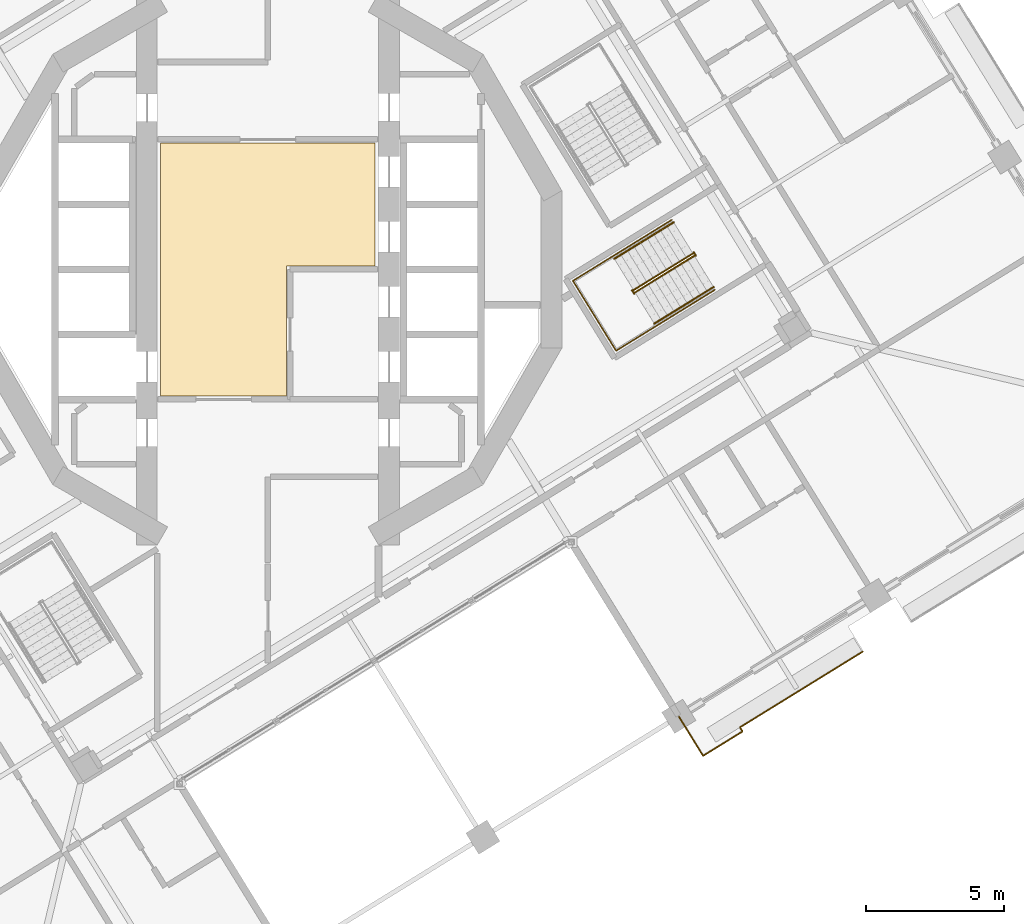
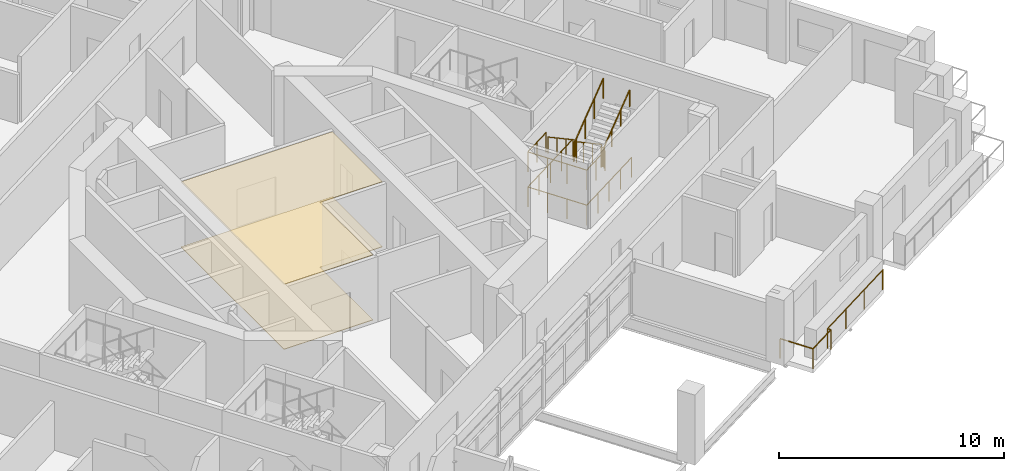
# One storey, part 18 of 22: 9 railings, 2 coverings.
"""IFC4 building model written with IfcOpenShell, lengths in metres."""

from ifc_helpers import new_model, si_unit, direction, frame, origin, origin_2d, place, context, subcontext, project, spatial, polyline, circle, outline, extrude, material, layer, layer_set, type_object, element, save


model = new_model("IFC4")

# Units and contexts
model_context = context("Model", 3, precision=1e-05, world=origin(), true_north=direction((0.0, 1.0)))
body_context = subcontext(model_context, "Body", "Model", "MODEL_VIEW")
ifc_project = project(units=[si_unit("LENGTHUNIT", "METRE"), si_unit("AREAUNIT", "SQUARE_METRE"), si_unit("VOLUMEUNIT", "CUBIC_METRE"), si_unit("PLANEANGLEUNIT", "RADIAN"), si_unit("MASSUNIT", "GRAM", prefix="KILO")], contexts=[model_context])

# Site, building, storey
site_placement = place(None, origin())
site = spatial("IfcSite", under=ifc_project, at=site_placement, CompositionType="ELEMENT")
building_placement = place(site_placement, origin())
building = spatial("IfcBuilding", under=site, at=building_placement, Name="Cantera Rosa Tower", CompositionType="ELEMENT")
storey_placement = place(building_placement, frame((0.0, 0.0, 178.0)))
storey = spatial("IfcBuildingStorey", under=building, at=storey_placement, Name="L39", CompositionType="ELEMENT", Elevation=178.0)

# Railings
ifc_material_1 = material(Name="Stainless steel and laminated glass", Category="steel")
railing_type_1 = type_object("IfcRailingType", Name="GUARD 1100", PredefinedType="BALUSTRADE", material=ifc_material_1)
railing_1_placement = place(storey_placement, frame((17.160400390625, -16.704345703125, 0.0)))
element("IfcRailing", 1, at=railing_1_placement, inside=storey, type_object=railing_type_1, Name="GUARD L39-8", PredefinedType="BALUSTRADE", context=body_context, shape_type="SweptSolid", body=[
    extrude(circle(Radius=0.030029296875, at=origin_2d()), frame((0.0, 0.0, 1.070068359375), z_axis=(-0.851117717896, -0.524974885384, 0.0), x_axis=(0.524974885384, -0.851117717896, 0.0)), (0.0, 0.0, 1.0), 1.676025390625),
    extrude(circle(Radius=0.030029296875, at=origin_2d()), frame((-1.426513671875, -0.8798828125, 1.070068359375), z_axis=(-0.524993729736, 0.85110609429, 0.0), x_axis=(-0.85110609429, -0.524993729736, 0.0)), (0.0, 0.0, 1.0), 1.656005859375),
    extrude(circle(Radius=0.02490234375, at=origin_2d()), origin(), (0.0, 0.0, 1.0), 1.0400390625),
    extrude(circle(Radius=0.02490234375, at=origin_2d()), frame((-1.426513671875, -0.8798828125, 0.0)), (0.0, 0.0, 1.0), 1.0400390625),
    extrude(circle(Radius=0.02490234375, at=origin_2d()), frame((-2.2958984375, 0.529541015625, 0.0)), (0.0, 0.0, 1.0), 1.0400390625),
])
railing_2_placement = place(storey_placement, frame((21.505615234375, -13.817138671875, 0.0)))
element("IfcRailing", 2, at=railing_2_placement, inside=storey, type_object=railing_type_1, Name="GUARD L39-9", PredefinedType="BALUSTRADE", context=body_context, shape_type="SweptSolid", body=[
    extrude(circle(Radius=0.030029296875, at=origin_2d()), frame((0.0, 0.0, 1.070068359375), z_axis=(-0.850339408664, -0.52623463405, 0.0), x_axis=(0.52623463405, -0.850339408664, 0.0)), (0.0, 0.0, 1.0), 0.070068359375),
    extrude(circle(Radius=0.030029296875, at=origin_2d()), frame((-0.0595703125, -0.036865234375, 1.070068359375), z_axis=(-0.85112174284, -0.52496835987, 0.0), x_axis=(0.52496835987, -0.85112174284, 0.0)), (0.0, 0.0, 1.0), 5.14404296875),
    extrude(circle(Radius=0.030029296875, at=origin_2d()), frame((-4.437744140625, -2.7373046875, 1.070068359375), z_axis=(0.525256814591, -0.850943757675, 0.0), x_axis=(0.850943757675, 0.525256814591, 0.0)), (0.0, 0.0, 1.0), 0.17626953125),
    extrude(circle(Radius=0.02490234375, at=origin_2d()), origin(), (0.0, 0.0, 1.0), 1.0400390625),
    extrude(circle(Radius=0.02490234375, at=origin_2d()), frame((-0.0595703125, -0.036865234375, 0.0)), (0.0, 0.0, 1.0), 1.0400390625),
    extrude(circle(Radius=0.02490234375, at=origin_2d()), frame((-1.51904296875, -0.93701171875, 0.0)), (0.0, 0.0, 1.0), 1.0400390625),
    extrude(circle(Radius=0.02490234375, at=origin_2d()), frame((-2.978271484375, -1.837158203125, 0.0)), (0.0, 0.0, 1.0), 1.0400390625),
    extrude(circle(Radius=0.02490234375, at=origin_2d()), frame((-4.437744140625, -2.7373046875, 0.0)), (0.0, 0.0, 1.0), 1.0400390625),
    extrude(circle(Radius=0.02490234375, at=origin_2d()), frame((-4.34521484375, -2.88720703125, 0.0)), (0.0, 0.0, 1.0), 1.0400390625),
])
ifc_material_2 = material(Name="Steel S355J2 (EN 10025-2)", Category="steel")
railing_type_2 = type_object("IfcRailingType", Name="STAIR GUARD 1100", PredefinedType="GUARDRAIL", material=ifc_material_2)
railing_3_placement = place(storey_placement, frame((15.36572265625, 0.57666015625, 0.18994140625)))
element("IfcRailing", 3, at=railing_3_placement, inside=storey, type_object=railing_type_2, Name="L39 ST-34 stair guard 1", PredefinedType="GUARDRAIL", context=body_context, shape_type="SweptSolid", body=[
    extrude(circle(Radius=0.02392578125, at=origin_2d()), frame((0.0, 0.0, 1.076171875), z_axis=(-0.704271375033, -0.434427613125, 0.561493080334), x_axis=(0.524999832248, -0.851102330005, 0.0)), (0.0, 0.0, 1.0), 3.04541015625),
    extrude(circle(Radius=0.02392578125, at=origin_2d()), frame((-2.144775390625, -1.322998046875, 2.7861328125), z_axis=(-0.997279572494, -0.073711968402, 0.0), x_axis=(0.073711968402, -0.997279572494, 0.0)), (0.0, 0.0, 1.0), 0.056396484375),
    extrude(circle(Radius=0.02392578125, at=origin_2d()), frame((-2.200927734375, -1.3271484375, 2.7861328125), z_axis=(0.525458245725, -0.850819388589, 0.0), x_axis=(0.850819388589, 0.525458245725, 0.0)), (0.0, 0.0, 1.0), 0.150146484375),
    extrude(circle(Radius=0.02099609375, at=origin_2d()), origin(), (0.0, 0.0, 1.0), 1.052001953125),
    extrude(circle(Radius=0.02099609375, at=origin_2d()), frame((-0.71484375, -0.44091796875, 0.570068359375)), (0.0, 0.0, 1.0), 1.052001953125),
    extrude(circle(Radius=0.02099609375, at=origin_2d()), frame((-1.429931640625, -0.882080078125, 1.139892578125)), (0.0, 0.0, 1.0), 1.052001953125),
    extrude(circle(Radius=0.02099609375, at=origin_2d()), frame((-2.144775390625, -1.322998046875, 1.7099609375)), (0.0, 0.0, 1.0), 1.052001953125),
    extrude(circle(Radius=0.02099609375, at=origin_2d()), frame((-2.200927734375, -1.3271484375, 1.7099609375)), (0.0, 0.0, 1.0), 1.052001953125),
    extrude(circle(Radius=0.02099609375, at=origin_2d()), frame((-2.1220703125, -1.454833984375, 1.7099609375)), (0.0, 0.0, 1.0), 1.052001953125),
])
railing_4_placement = place(storey_placement, frame((13.2724609375, -0.82958984375, 2.090087890625)))
element("IfcRailing", 4, at=railing_4_placement, inside=storey, type_object=railing_type_2, Name="L39 ST-34 stair guard 2", PredefinedType="GUARDRAIL", context=body_context, shape_type="SweptSolid", body=[
    extrude(circle(Radius=0.02392578125, at=origin_2d()), frame((0.0, 0.0, 1.076171875), z_axis=(0.70429590169, 0.434362572038, 0.561512634654), x_axis=(-0.524929648476, 0.851145618652, 0.0)), (0.0, 0.0, 1.0), 3.045166015625),
    extrude(circle(Radius=0.02099609375, at=origin_2d()), origin(), (0.0, 0.0, 1.0), 1.052001953125),
    extrude(circle(Radius=0.02099609375, at=origin_2d()), frame((0.71484375, 0.44091796875, 0.570068359375)), (0.0, 0.0, 1.0), 1.052001953125),
    extrude(circle(Radius=0.02099609375, at=origin_2d()), frame((1.429931640625, 0.8818359375, 1.139892578125)), (0.0, 0.0, 1.0), 1.052001953125),
    extrude(circle(Radius=0.02099609375, at=origin_2d()), frame((2.144775390625, 1.32275390625, 1.7099609375)), (0.0, 0.0, 1.0), 1.052001953125),
])
railing_5_placement = place(storey_placement, frame((15.394775390625, 0.625, 0.0)))
element("IfcRailing", 5, at=railing_5_placement, inside=storey, type_object=railing_type_2, Name="L39 ST-34 stair guard 3", PredefinedType="GUARDRAIL", context=body_context, shape_type="SweptSolid", body=[
    extrude(circle(Radius=0.02392578125, at=origin_2d()), frame((0.0, 0.0, 1.076171875), z_axis=(0.524279100842, -0.851546489876, 0.0), x_axis=(0.851546489876, 0.524279100842, 0.0)), (0.0, 0.0, 1.0), 0.14990234375),
    extrude(circle(Radius=0.02099609375, at=origin_2d()), origin(), (0.0, 0.0, 1.0), 1.052001953125),
    extrude(circle(Radius=0.02099609375, at=origin_2d()), frame((0.07861328125, -0.127685546875, 0.0)), (0.0, 0.0, 1.0), 1.052001953125),
])
railing_6_placement = place(storey_placement, frame((14.601806640625, 1.79248046875, 0.0)))
element("IfcRailing", 6, at=railing_6_placement, inside=storey, type_object=railing_type_2, Name="L39 ST-34 stair guard 4", PredefinedType="GUARDRAIL", context=body_context, shape_type="SweptSolid", body=[
    extrude(circle(Radius=0.02392578125, at=origin_2d()), frame((0.0, 0.0, 1.076171875), z_axis=(-0.851116735059, -0.524976478809, 0.0), x_axis=(0.524976478809, -0.851116735059, 0.0)), (0.0, 0.0, 1.0), 4.197998046875),
    extrude(circle(Radius=0.02392578125, at=origin_2d()), frame((-3.572998046875, -2.203857421875, 1.076171875), z_axis=(0.524950242429, -0.851132917336, 0.0), x_axis=(0.851132917336, 0.524950242429, 0.0)), (0.0, 0.0, 1.0), 2.969970703125),
    extrude(circle(Radius=0.02392578125, at=origin_2d()), frame((-2.013916015625, -4.731689453125, 1.076171875), z_axis=(0.851116735059, 0.524976478809, 0.0), x_axis=(-0.524976478809, 0.851116735059, 0.0)), (0.0, 0.0, 1.0), 4.197998046875),
    extrude(circle(Radius=0.02099609375, at=origin_2d()), origin(), (0.0, 0.0, 1.0), 1.052001953125),
    extrude(circle(Radius=0.02099609375, at=origin_2d()), frame((-0.893310546875, -0.551025390625, 0.0)), (0.0, 0.0, 1.0), 1.052001953125),
    extrude(circle(Radius=0.02099609375, at=origin_2d()), frame((-1.78662109375, -1.10205078125, 0.0)), (0.0, 0.0, 1.0), 1.052001953125),
    extrude(circle(Radius=0.02099609375, at=origin_2d()), frame((-2.6796875, -1.65283203125, 0.0)), (0.0, 0.0, 1.0), 1.052001953125),
    extrude(circle(Radius=0.02099609375, at=origin_2d()), frame((-3.572998046875, -2.203857421875, 0.0)), (0.0, 0.0, 1.0), 1.052001953125),
    extrude(circle(Radius=0.02099609375, at=origin_2d()), frame((-3.05322265625, -3.04638671875, 0.0)), (0.0, 0.0, 1.0), 1.052001953125),
    extrude(circle(Radius=0.02099609375, at=origin_2d()), frame((-2.53369140625, -3.88916015625, 0.0)), (0.0, 0.0, 1.0), 1.052001953125),
    extrude(circle(Radius=0.02099609375, at=origin_2d()), frame((-2.013916015625, -4.731689453125, 0.0)), (0.0, 0.0, 1.0), 1.052001953125),
    extrude(circle(Radius=0.02099609375, at=origin_2d()), frame((-1.12060546875, -4.1806640625, 0.0)), (0.0, 0.0, 1.0), 1.052001953125),
    extrude(circle(Radius=0.02099609375, at=origin_2d()), frame((-0.2275390625, -3.6298828125, 0.0)), (0.0, 0.0, 1.0), 1.052001953125),
    extrude(circle(Radius=0.02099609375, at=origin_2d()), frame((0.665771484375, -3.078857421875, 0.0)), (0.0, 0.0, 1.0), 1.052001953125),
    extrude(circle(Radius=0.02099609375, at=origin_2d()), frame((1.55908203125, -2.52783203125, 0.0)), (0.0, 0.0, 1.0), 1.052001953125),
])
railing_7_placement = place(storey_placement, frame((12.477294921875, 0.482177734375, 1.89990234375)))
element("IfcRailing", 7, at=railing_7_placement, inside=storey, type_object=railing_type_2, Name="L39 ST-34 stair guard 5", PredefinedType="GUARDRAIL", context=body_context, shape_type="SweptSolid", body=[
    extrude(circle(Radius=0.02392578125, at=origin_2d()), frame((0.0, 0.0, 1.076171875), z_axis=(-0.851086474909, -0.525025534833, 0.0), x_axis=(0.525025534833, -0.851086474909, 0.0)), (0.0, 0.0, 1.0), 1.701904296875),
    extrude(circle(Radius=0.02392578125, at=origin_2d()), frame((-1.448486328125, -0.8935546875, 1.076171875), z_axis=(0.524950242429, -0.851132917336, 0.0), x_axis=(0.851132917336, 0.524950242429, 0.0)), (0.0, 0.0, 1.0), 2.969970703125),
    extrude(circle(Radius=0.02392578125, at=origin_2d()), frame((0.110595703125, -3.42138671875, 1.076171875), z_axis=(0.851126009811, 0.524961441845, 0.0), x_axis=(-0.524961441845, 0.851126009811, 0.0)), (0.0, 0.0, 1.0), 1.7021484375),
    extrude(circle(Radius=0.02099609375, at=origin_2d()), origin(), (0.0, 0.0, 1.0), 1.052001953125),
    extrude(circle(Radius=0.02099609375, at=origin_2d()), frame((-0.72412109375, -0.44677734375, 0.0)), (0.0, 0.0, 1.0), 1.052001953125),
    extrude(circle(Radius=0.02099609375, at=origin_2d()), frame((-1.448486328125, -0.8935546875, 0.0)), (0.0, 0.0, 1.0), 1.052001953125),
    extrude(circle(Radius=0.02099609375, at=origin_2d()), frame((-0.9287109375, -1.736083984375, 0.0)), (0.0, 0.0, 1.0), 1.052001953125),
    extrude(circle(Radius=0.02099609375, at=origin_2d()), frame((-0.4091796875, -2.578857421875, 0.0)), (0.0, 0.0, 1.0), 1.052001953125),
    extrude(circle(Radius=0.02099609375, at=origin_2d()), frame((0.110595703125, -3.42138671875, 0.0)), (0.0, 0.0, 1.0), 1.052001953125),
    extrude(circle(Radius=0.02099609375, at=origin_2d()), frame((0.8349609375, -2.974609375, 0.0)), (0.0, 0.0, 1.0), 1.052001953125),
    extrude(circle(Radius=0.02099609375, at=origin_2d()), frame((1.559326171875, -2.52783203125, 0.0)), (0.0, 0.0, 1.0), 1.052001953125),
])
ifc_material_3 = material(Name="Steel S355J2 (EN 10025-2)", Category="steel")
railing_type_3 = type_object("IfcRailingType", Name="STAIR HANDRAIL 900", PredefinedType="HANDRAIL", material=ifc_material_3)
railing_8_placement = place(storey_placement, frame((14.669677734375, 1.705322265625, 0.18994140625)))
element("IfcRailing", 8, at=railing_8_placement, inside=storey, type_object=railing_type_3, Name="L39 ST-34 stair handrail 1", PredefinedType="HANDRAIL", context=body_context, shape_type="SweptSolid", body=[
    extrude(circle(Radius=0.02392578125, at=origin_2d()), frame((0.0, 0.0, 0.8759765625), z_axis=(-0.704271375033, -0.434427613125, 0.561493080334), x_axis=(0.524999832248, -0.851102330005, 0.0)), (0.0, 0.0, 1.0), 3.04541015625),
    extrude(circle(Radius=0.02099609375, at=origin_2d()), origin(), (0.0, 0.0, 1.0), 0.851806640625),
    extrude(circle(Radius=0.02099609375, at=origin_2d()), frame((-0.71484375, -0.44091796875, 0.570068359375)), (0.0, 0.0, 1.0), 0.851806640625),
    extrude(circle(Radius=0.02099609375, at=origin_2d()), frame((-1.429931640625, -0.882080078125, 1.139892578125)), (0.0, 0.0, 1.0), 0.851806640625),
    extrude(circle(Radius=0.02099609375, at=origin_2d()), frame((-2.144775390625, -1.322998046875, 1.7099609375)), (0.0, 0.0, 1.0), 0.851806640625),
])
railing_9_placement = place(storey_placement, frame((13.968505859375, -1.958251953125, 2.090087890625)))
element("IfcRailing", 9, at=railing_9_placement, inside=storey, type_object=railing_type_3, Name="L39 ST-34 stair handrail 2", PredefinedType="HANDRAIL", context=body_context, shape_type="SweptSolid", body=[
    extrude(circle(Radius=0.02392578125, at=origin_2d()), frame((0.0, 0.0, 0.8759765625), z_axis=(0.704311776172, 0.434403086168, 0.561461379502), x_axis=(-0.524956545799, 0.851129029597, 0.0)), (0.0, 0.0, 1.0), 3.045654296875),
    extrude(circle(Radius=0.02099609375, at=origin_2d()), origin(), (0.0, 0.0, 1.0), 0.851806640625),
    extrude(circle(Radius=0.02099609375, at=origin_2d()), frame((0.715087890625, 0.44091796875, 0.570068359375)), (0.0, 0.0, 1.0), 0.851806640625),
    extrude(circle(Radius=0.02099609375, at=origin_2d()), frame((1.429931640625, 0.882080078125, 1.139892578125)), (0.0, 0.0, 1.0), 0.851806640625),
    extrude(circle(Radius=0.02099609375, at=origin_2d()), frame((2.14501953125, 1.322998046875, 1.7099609375)), (0.0, 0.0, 1.0), 0.851806640625),
])

# Coverings
ifc_material_4 = material(Name="Limestone paving", Category="masonry")
ifc_layer_1 = layer(ifc_material_4, 0.02490234375)
ifc_layer_set_1 = layer_set([ifc_layer_1], Name="STONE FLOOR FINISH 25")
covering_type_1 = type_object("IfcCoveringType", Name="STONE FLOOR FINISH 25", PredefinedType="FLOORING", material=ifc_layer_set_1)
covering_1_placement = place(storey_placement, origin())
element("IfcCovering", 10, at=covering_1_placement, inside=storey, type_object=covering_type_1, Name="STONE FLOOR FINISH L39", PredefinedType="FLOORING", context=body_context, shape_type="SweptSolid", body=[
    extrude(outline(polyline([(3.8798828125, 4.580078125), (3.8798828125, 0.1201171875), (0.679931640625, 0.1201171875), (0.679931640625, -4.580078125), (-3.8798828125, -4.580078125), (-3.8798828125, 4.580078125), (3.8798828125, 4.580078125)])), origin(), (0.0, 0.0, 1.0), 0.02490234375),
])
ifc_material_5 = material(Name="Gypsum ceiling tile")
ifc_layer_2 = layer(ifc_material_5, 0.030029296875)
ifc_layer_set_2 = layer_set([ifc_layer_2], Name="SUSPENDED CEILING 30")
covering_type_2 = type_object("IfcCoveringType", Name="SUSPENDED CEILING 30", PredefinedType="CEILING", material=ifc_layer_set_2)
covering_2_placement = place(storey_placement, frame((0.0, 0.0, 3.52001953125)))
element("IfcCovering", 11, at=covering_2_placement, inside=storey, type_object=covering_type_2, Name="SUSPENDED CEILING L39", PredefinedType="CEILING", context=body_context, shape_type="SweptSolid", body=[
    extrude(outline(polyline([(3.8798828125, 4.580078125), (3.8798828125, 0.1201171875), (0.679931640625, 0.1201171875), (0.679931640625, -4.580078125), (-3.8798828125, -4.580078125), (-3.8798828125, 4.580078125), (3.8798828125, 4.580078125)])), origin(), (0.0, 0.0, 1.0), 0.030029296875),
])

save(model, "model.ifc")
